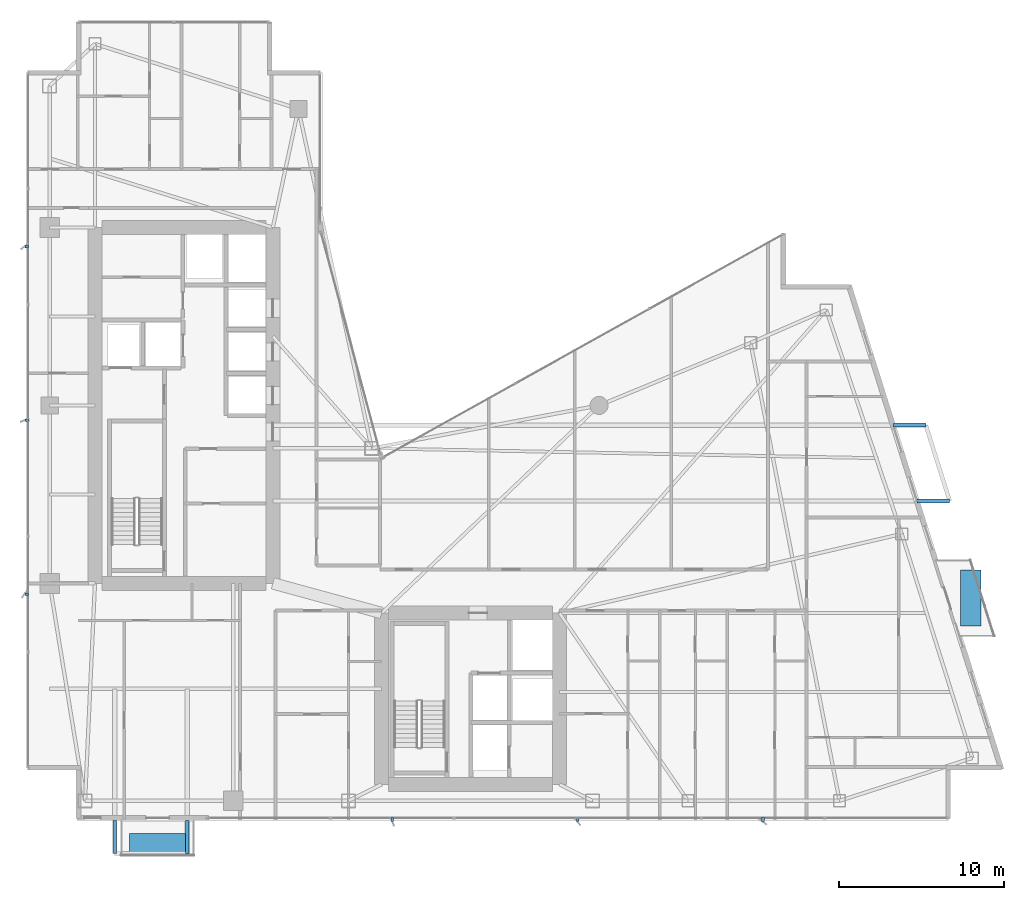
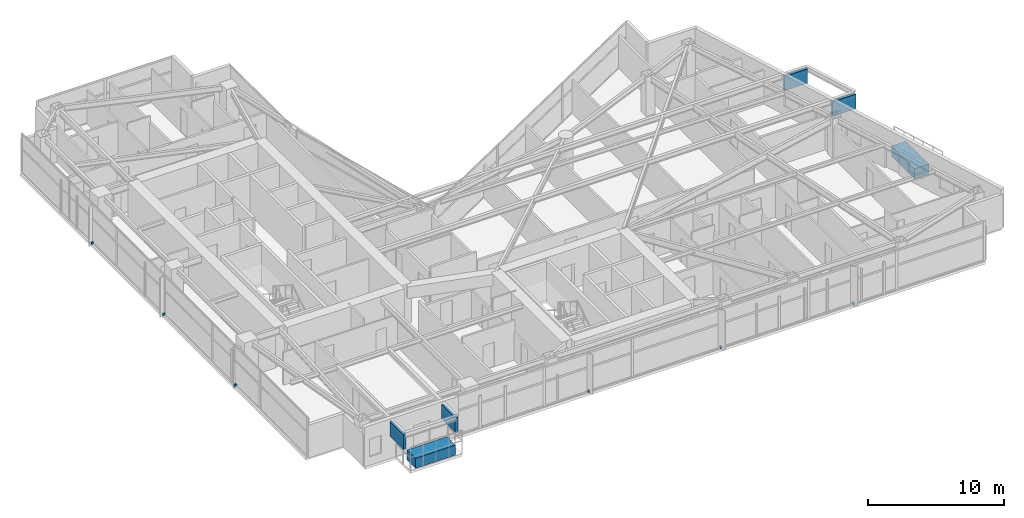
# One storey, part 26 of 28: 12 discrete accessories.
"""IFC4 building model written with IfcOpenShell, lengths in metres."""

from ifc_helpers import new_model, si_unit, direction, frame, origin, origin_2d, place, context, subcontext, project, spatial, rectangle, extrude, material, type_object, element, save


model = new_model("IFC4")

# Units and contexts
model_context = context("Model", 3, precision=1e-05, world=origin(), true_north=direction((0.0, 1.0)))
body_context = subcontext(model_context, "Body", "Model", "MODEL_VIEW")
ifc_project = project(units=[si_unit("LENGTHUNIT", "METRE"), si_unit("AREAUNIT", "SQUARE_METRE"), si_unit("VOLUMEUNIT", "CUBIC_METRE"), si_unit("PLANEANGLEUNIT", "RADIAN"), si_unit("MASSUNIT", "GRAM", prefix="KILO")], contexts=[model_context])

# Site, building, storey
site_placement = place(None, origin())
site = spatial("IfcSite", under=ifc_project, at=site_placement, CompositionType="ELEMENT")
building_placement = place(site_placement, origin())
building = spatial("IfcBuilding", under=site, at=building_placement, Name="Calvorn Quay Hotel", CompositionType="ELEMENT")
storey_placement = place(building_placement, frame((0.0, 0.0, 178.89990234375)))
storey = spatial("IfcBuildingStorey", under=building, at=storey_placement, Name="L44", CompositionType="ELEMENT", Elevation=178.89990234375)

# Discrete accessories
ifc_material_1 = material(Name="Steel Q355B", Category="steel")
discrete_accessory_type_1 = type_object("IfcDiscreteAccessoryType", Name="ACC-BALC-STRUT", PredefinedType="BRACKET", material=ifc_material_1)
for number, where, z_axis, x_axis, name in (
    (1, (55.091064453125, 21.800048828125, 2.01513671875), (0.0, 0.0, 1.0), (1.0, 0.0, 0.0), "Exterior Balcony Steel Bracket L45-BALC-E-A"),
    (2, (53.64208984375, 26.39990234375, 2.01513671875), (0.0, 0.0, 1.0), (1.0, 0.0, 0.0), "Exterior Balcony Steel Bracket L45-BALC-E-B"),
):
    element("IfcDiscreteAccessory", number, at=place(storey_placement, frame(where, z_axis=z_axis, x_axis=x_axis)), inside=storey, type_object=discrete_accessory_type_1, Name=name, PredefinedType="BRACKET", context=body_context, shape_type="SweptSolid", body=[
        extrude(rectangle(XDim=1.989990234375, YDim=0.219970703125, at=origin_2d()), origin(), (0.0, 0.0, 1.0), 1.300048828125),
    ])
for number, where, z_axis, x_axis, name in (
    (3, (5.39990234375, 1.405029296875, 2.01513671875), (0.0, 0.0, 1.0), (1.0, 0.0, 0.0), "Exterior Balcony Steel Bracket L45-BALC-S-A"),
    (4, (9.800048828125, 1.405029296875, 2.01513671875), (0.0, 0.0, 1.0), (1.0, 0.0, 0.0), "Exterior Balcony Steel Bracket L45-BALC-S-B"),
):
    element("IfcDiscreteAccessory", number, at=place(storey_placement, frame(where, z_axis=z_axis, x_axis=x_axis)), inside=storey, type_object=discrete_accessory_type_1, Name=name, PredefinedType="BRACKET", context=body_context, shape_type="SweptSolid", body=[
        extrude(rectangle(XDim=0.219970703125, YDim=1.989990234375, at=origin_2d()), origin(), (0.0, 0.0, 1.0), 1.300048828125),
    ])
ifc_material_2 = material(Name="Steel Q355B", Category="steel")
discrete_accessory_type_2 = type_object("IfcDiscreteAccessoryType", Name="ACC-FIN-BRACKET", PredefinedType="BRACKET", material=ifc_material_2)
for number, where, z_axis, x_axis, name in (
    (5, (0.06005859375, 16.14990234375, 0.0302734375), (0.0, 0.0, 1.0), (1.0, 0.0, 0.0), "Fin Anchor Bracket L44-W01"),
    (6, (0.06005859375, 26.699951171875, 0.0302734375), (0.0, 0.0, 1.0), (1.0, 0.0, 0.0), "Fin Anchor Bracket L44-W02"),
    (7, (0.06005859375, 37.25, 0.0302734375), (0.0, 0.0, 1.0), (1.0, 0.0, 0.0), "Fin Anchor Bracket L44-W03"),
    (8, (22.25, 2.4599609375, 0.0302734375), (0.0, 0.0, 1.0), (0.0, 1.0, 0.0), "Fin Anchor Bracket L44-S01"),
    (9, (33.5, 2.4599609375, 0.0302734375), (0.0, 0.0, 1.0), (0.0, 1.0, 0.0), "Fin Anchor Bracket L44-S02"),
    (10, (44.75, 2.4599609375, 0.0302734375), (0.0, 0.0, 1.0), (0.0, 1.0, 0.0), "Fin Anchor Bracket L44-S03"),
):
    element("IfcDiscreteAccessory", number, at=place(storey_placement, frame(where, z_axis=z_axis, x_axis=x_axis)), inside=storey, type_object=discrete_accessory_type_2, Name=name, PredefinedType="BRACKET", context=body_context, shape_type="SweptSolid", body=[
        extrude(rectangle(XDim=0.239990234375, YDim=0.159912109375, at=origin_2d()), origin(), (0.0, 0.0, 1.0), 0.179931640625),
    ])
ifc_material_3 = material(Name="Precast concrete C40", Category="concrete")
discrete_accessory_type_3 = type_object("IfcDiscreteAccessoryType", Name="ACC-TREE-PLANTER", PredefinedType="USERDEFINED", material=ifc_material_3)
discrete_accessory_1_placement = place(storey_placement, frame((57.364013671875, 15.89990234375, 0.000244140625), z_axis=(0.0, 0.0, 1.0), x_axis=(1.0, 0.0, 0.0)))
element("IfcDiscreteAccessory", 11, at=discrete_accessory_1_placement, inside=storey, type_object=discrete_accessory_type_3, Name="Subtropical Tree Structural Planter L44-BALC-E", ObjectType="PLANTER", PredefinedType="USERDEFINED", context=body_context, shape_type="SweptSolid", body=[
    extrude(rectangle(XDim=1.25, YDim=3.39990234375, at=origin_2d()), origin(), (0.0, 0.0, 1.0), 0.89990234375),
])
discrete_accessory_2_placement = place(storey_placement, frame((8.0, 0.989990234375, 0.000244140625), z_axis=(0.0, 0.0, 1.0), x_axis=(1.0, 0.0, 0.0)))
element("IfcDiscreteAccessory", 12, at=discrete_accessory_2_placement, inside=storey, type_object=discrete_accessory_type_3, Name="Subtropical Tree Structural Planter L44-BALC-S", ObjectType="PLANTER", PredefinedType="USERDEFINED", context=body_context, shape_type="SweptSolid", body=[
    extrude(rectangle(XDim=3.39990234375, YDim=1.25, at=origin_2d()), origin(), (0.0, 0.0, 1.0), 0.89990234375),
])

save(model, "model.ifc")
